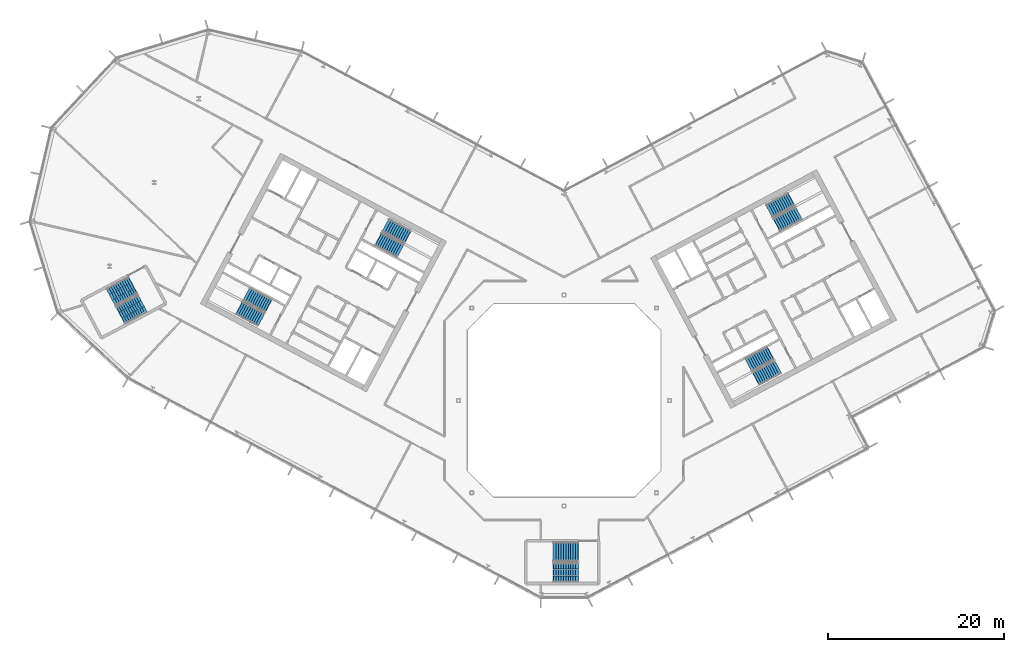
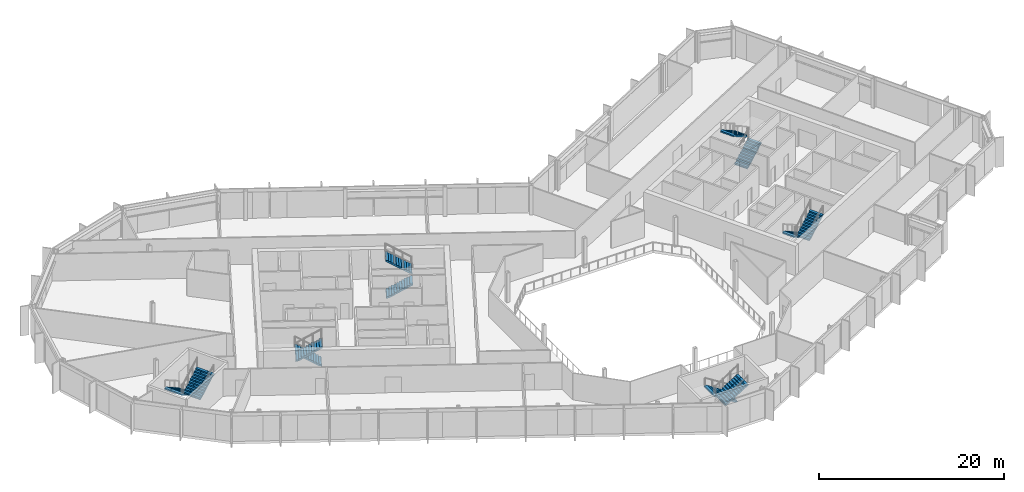
# One storey, part 18 of 27: 12 stair flights, 6 elements without a shape of their own.
"""IFC4 building model written with IfcOpenShell, lengths in metres."""

from ifc_helpers import new_model, si_unit, direction, frame, origin, place, context, subcontext, project, spatial, polyline, outline, extrude, material, type_object, element, aggregate, save


model = new_model("IFC4")

# Units and contexts
model_context = context("Model", 3, precision=1e-05, world=origin(), true_north=direction((0.0, 1.0)))
body_context = subcontext(model_context, "Body", "Model", "MODEL_VIEW")
ifc_project = project(units=[si_unit("LENGTHUNIT", "METRE"), si_unit("AREAUNIT", "SQUARE_METRE"), si_unit("VOLUMEUNIT", "CUBIC_METRE"), si_unit("PLANEANGLEUNIT", "RADIAN"), si_unit("MASSUNIT", "GRAM", prefix="KILO")], contexts=[model_context])

# Site, building, storey
site_placement = place(None, origin())
site = spatial("IfcSite", under=ifc_project, at=site_placement, CompositionType="ELEMENT")
building_placement = place(site_placement, origin())
building = spatial("IfcBuilding", under=site, at=building_placement, Name="Cormorant Relay Tower", CompositionType="ELEMENT")
storey_placement = place(building_placement, frame((0.0, 0.0, 240.300048828125)))
storey = spatial("IfcBuildingStorey", under=building, at=storey_placement, Name="L53", CompositionType="ELEMENT", Elevation=240.300048828125)

# Stair, stair flights
ifc_material_1 = material(Name="Concrete 40 MPa", Category="concrete")
stair_type_1 = type_object("IfcStairType", Name="Exit stair 1500", PredefinedType="HALF_TURN_STAIR", material=ifc_material_1)
stair_1_placement = place(storey_placement, origin())
stair_1 = element("IfcStair", 1, at=stair_1_placement, inside=storey, type_object=stair_type_1, Name="L53 Stair", PredefinedType="HALF_TURN_STAIR")
ifc_material_2 = material(Name="Concrete 40 MPa", Category="concrete")
stair_flight_type_1 = type_object("IfcStairFlightType", Name="Exit stair flight 1650", PredefinedType="STRAIGHT", material=ifc_material_2)
stair_flight_1_placement = place(storey_placement, frame((-21.114501953125, 18.33349609375, 0.0), z_axis=(0.0, 0.0, 1.0), x_axis=(0.882947592859, -0.469471562786, 0.0)))
stair_flight_1 = element("IfcStairFlight", 2, at=stair_flight_1_placement, type_object=stair_flight_type_1, Name="A1 flight 1", NumberOfRisers=11, NumberOfTreads=10, PredefinedType="STRAIGHT", RiserHeight=0.177272727, TreadLength=0.28, context=body_context, shape_type="SweptSolid", body=[
    extrude(outline(polyline([(-0.050048828125, -0.080078125), (-0.050048828125, 0.0), (0.0, 0.0), (0.0, 0.17724609375), (0.280029296875, 0.17724609375), (0.280029296875, 0.3544921875), (0.56005859375, 0.3544921875), (0.56005859375, 0.53173828125), (0.840087890625, 0.53173828125), (0.840087890625, 0.708984375), (1.1201171875, 0.708984375), (1.1201171875, 0.886474609375), (1.39990234375, 0.886474609375), (1.39990234375, 1.063720703125), (1.679931640625, 1.063720703125), (1.679931640625, 1.240966796875), (1.9599609375, 1.240966796875), (1.9599609375, 1.418212890625), (2.239990234375, 1.418212890625), (2.239990234375, 1.595458984375), (2.52001953125, 1.595458984375), (2.52001953125, 1.772705078125), (2.800048828125, 1.772705078125), (2.85009765625, 1.772705078125), (2.85009765625, 1.59521484375), (2.800048828125, 1.59521484375), (0.2802734375, 0.0), (-0.050048828125, -0.080078125)])), frame((0.0, 0.824951171875, 0.0), z_axis=(0.0, -1.0, 0.0), x_axis=(1.0, 0.0, 0.0)), (0.0, 0.0, 1.0), 1.64990234375),
])
stair_flight_2_placement = place(storey_placement, frame((-17.797119140625, 18.6083984375, 1.949951171875), z_axis=(0.0, 0.0, 1.0), x_axis=(-0.882947592859, 0.469471562786, 0.0)))
stair_flight_2 = element("IfcStairFlight", 3, at=stair_flight_2_placement, type_object=stair_flight_type_1, Name="A1 flight 2", NumberOfRisers=11, NumberOfTreads=10, PredefinedType="STRAIGHT", RiserHeight=0.177272727, TreadLength=0.28, context=body_context, shape_type="SweptSolid", body=[
    extrude(outline(polyline([(-0.050048828125, -0.080078125), (-0.050048828125, 0.0), (0.0, 0.0), (0.0, 0.17724609375), (0.280029296875, 0.17724609375), (0.280029296875, 0.3544921875), (0.56005859375, 0.3544921875), (0.56005859375, 0.53173828125), (0.840087890625, 0.53173828125), (0.840087890625, 0.708984375), (1.1201171875, 0.708984375), (1.1201171875, 0.886474609375), (1.39990234375, 0.886474609375), (1.39990234375, 1.063720703125), (1.679931640625, 1.063720703125), (1.679931640625, 1.240966796875), (1.9599609375, 1.240966796875), (1.9599609375, 1.418212890625), (2.239990234375, 1.418212890625), (2.239990234375, 1.595458984375), (2.52001953125, 1.595458984375), (2.52001953125, 1.772705078125), (2.800048828125, 1.772705078125), (2.85009765625, 1.772705078125), (2.85009765625, 1.59521484375), (2.800048828125, 1.59521484375), (0.2802734375, 0.0), (-0.050048828125, -0.080078125)])), frame((0.0, 0.824951171875, 0.0), z_axis=(0.0, -1.0, 0.0), x_axis=(1.0, 0.0, 0.0)), (0.0, 0.0, 1.0), 1.64990234375),
])
aggregate(stair_1, [stair_flight_1, stair_flight_2])

stair_2_placement = place(storey_placement, origin())
stair_2 = element("IfcStair", 4, at=stair_2_placement, inside=storey, type_object=stair_type_1, Name="L53 Stair", PredefinedType="HALF_TURN_STAIR")
stair_flight_3_placement = place(storey_placement, frame((-33.62841796875, 10.773681640625, 0.0), z_axis=(0.0, 0.0, 1.0), x_axis=(-0.882947592859, 0.469471562786, 0.0)))
stair_flight_3 = element("IfcStairFlight", 5, at=stair_flight_3_placement, type_object=stair_flight_type_1, Name="A2 flight 1", NumberOfRisers=11, NumberOfTreads=10, PredefinedType="STRAIGHT", RiserHeight=0.177272727, TreadLength=0.28, context=body_context, shape_type="SweptSolid", body=[
    extrude(outline(polyline([(-0.050048828125, -0.080078125), (-0.050048828125, 0.0), (0.0, 0.0), (0.0, 0.17724609375), (0.280029296875, 0.17724609375), (0.280029296875, 0.3544921875), (0.56005859375, 0.3544921875), (0.56005859375, 0.53173828125), (0.840087890625, 0.53173828125), (0.840087890625, 0.708984375), (1.1201171875, 0.708984375), (1.1201171875, 0.886474609375), (1.39990234375, 0.886474609375), (1.39990234375, 1.063720703125), (1.679931640625, 1.063720703125), (1.679931640625, 1.240966796875), (1.9599609375, 1.240966796875), (1.9599609375, 1.418212890625), (2.239990234375, 1.418212890625), (2.239990234375, 1.595458984375), (2.52001953125, 1.595458984375), (2.52001953125, 1.772705078125), (2.800048828125, 1.772705078125), (2.85009765625, 1.772705078125), (2.85009765625, 1.59521484375), (2.800048828125, 1.59521484375), (0.2802734375, 0.0), (-0.050048828125, -0.080078125)])), frame((0.0, 0.824951171875, 0.0), z_axis=(0.0, -1.0, 0.0), x_axis=(1.0, 0.0, 0.0)), (0.0, 0.0, 1.0), 1.64990234375),
])
stair_flight_4_placement = place(storey_placement, frame((-36.945556640625, 10.498779296875, 1.949951171875), z_axis=(0.0, 0.0, 1.0), x_axis=(0.882947592859, -0.469471562786, 0.0)))
stair_flight_4 = element("IfcStairFlight", 6, at=stair_flight_4_placement, type_object=stair_flight_type_1, Name="A2 flight 2", NumberOfRisers=11, NumberOfTreads=10, PredefinedType="STRAIGHT", RiserHeight=0.177272727, TreadLength=0.28, context=body_context, shape_type="SweptSolid", body=[
    extrude(outline(polyline([(-0.050048828125, -0.080078125), (-0.050048828125, 0.0), (0.0, 0.0), (0.0, 0.17724609375), (0.280029296875, 0.17724609375), (0.280029296875, 0.3544921875), (0.56005859375, 0.3544921875), (0.56005859375, 0.53173828125), (0.840087890625, 0.53173828125), (0.840087890625, 0.708984375), (1.1201171875, 0.708984375), (1.1201171875, 0.886474609375), (1.39990234375, 0.886474609375), (1.39990234375, 1.063720703125), (1.679931640625, 1.063720703125), (1.679931640625, 1.240966796875), (1.9599609375, 1.240966796875), (1.9599609375, 1.418212890625), (2.239990234375, 1.418212890625), (2.239990234375, 1.595458984375), (2.52001953125, 1.595458984375), (2.52001953125, 1.772705078125), (2.800048828125, 1.772705078125), (2.85009765625, 1.772705078125), (2.85009765625, 1.59521484375), (2.800048828125, 1.59521484375), (0.2802734375, 0.0), (-0.050048828125, -0.080078125)])), frame((0.0, 0.824951171875, 0.0), z_axis=(0.0, -1.0, 0.0), x_axis=(1.0, 0.0, 0.0)), (0.0, 0.0, 1.0), 1.64990234375),
])
aggregate(stair_2, [stair_flight_3, stair_flight_4])

stair_3_placement = place(storey_placement, origin())
stair_3 = element("IfcStair", 7, at=stair_3_placement, inside=storey, type_object=stair_type_1, Name="L53 Stair", PredefinedType="HALF_TURN_STAIR")
stair_flight_5_placement = place(storey_placement, frame((23.474365234375, 5.374755859375, 0.0), z_axis=(0.0, 0.0, 1.0), x_axis=(-0.882947592859, -0.469471562786, 0.0)))
stair_flight_5 = element("IfcStairFlight", 8, at=stair_flight_5_placement, type_object=stair_flight_type_1, Name="B1 flight 1", NumberOfRisers=11, NumberOfTreads=10, PredefinedType="STRAIGHT", RiserHeight=0.177272727, TreadLength=0.28, context=body_context, shape_type="SweptSolid", body=[
    extrude(outline(polyline([(-0.050048828125, -0.080078125), (-0.050048828125, 0.0), (0.0, 0.0), (0.0, 0.17724609375), (0.280029296875, 0.17724609375), (0.280029296875, 0.3544921875), (0.56005859375, 0.3544921875), (0.56005859375, 0.53173828125), (0.840087890625, 0.53173828125), (0.840087890625, 0.708984375), (1.1201171875, 0.708984375), (1.1201171875, 0.886474609375), (1.39990234375, 0.886474609375), (1.39990234375, 1.063720703125), (1.679931640625, 1.063720703125), (1.679931640625, 1.240966796875), (1.9599609375, 1.240966796875), (1.9599609375, 1.418212890625), (2.239990234375, 1.418212890625), (2.239990234375, 1.595458984375), (2.52001953125, 1.595458984375), (2.52001953125, 1.772705078125), (2.800048828125, 1.772705078125), (2.85009765625, 1.772705078125), (2.85009765625, 1.59521484375), (2.800048828125, 1.59521484375), (0.2802734375, 0.0), (-0.050048828125, -0.080078125)])), frame((0.0, 0.824951171875, 0.0), z_axis=(0.0, -1.0, 0.0), x_axis=(1.0, 0.0, 0.0)), (0.0, 0.0, 1.0), 1.64990234375),
])
stair_flight_6_placement = place(storey_placement, frame((21.84716796875, 2.470947265625, 1.949951171875), z_axis=(0.0, 0.0, 1.0), x_axis=(0.882947592859, 0.469471562786, 0.0)))
stair_flight_6 = element("IfcStairFlight", 9, at=stair_flight_6_placement, type_object=stair_flight_type_1, Name="B1 flight 2", NumberOfRisers=11, NumberOfTreads=10, PredefinedType="STRAIGHT", RiserHeight=0.177272727, TreadLength=0.28, context=body_context, shape_type="SweptSolid", body=[
    extrude(outline(polyline([(-0.050048828125, -0.080078125), (-0.050048828125, 0.0), (0.0, 0.0), (0.0, 0.17724609375), (0.280029296875, 0.17724609375), (0.280029296875, 0.3544921875), (0.56005859375, 0.3544921875), (0.56005859375, 0.53173828125), (0.840087890625, 0.53173828125), (0.840087890625, 0.708984375), (1.1201171875, 0.708984375), (1.1201171875, 0.886474609375), (1.39990234375, 0.886474609375), (1.39990234375, 1.063720703125), (1.679931640625, 1.063720703125), (1.679931640625, 1.240966796875), (1.9599609375, 1.240966796875), (1.9599609375, 1.418212890625), (2.239990234375, 1.418212890625), (2.239990234375, 1.595458984375), (2.52001953125, 1.595458984375), (2.52001953125, 1.772705078125), (2.800048828125, 1.772705078125), (2.85009765625, 1.772705078125), (2.85009765625, 1.59521484375), (2.800048828125, 1.59521484375), (0.2802734375, 0.0), (-0.050048828125, -0.080078125)])), frame((0.0, 0.824951171875, 0.0), z_axis=(0.0, -1.0, 0.0), x_axis=(1.0, 0.0, 0.0)), (0.0, 0.0, 1.0), 1.64990234375),
])
aggregate(stair_3, [stair_flight_5, stair_flight_6])

stair_4_placement = place(storey_placement, origin())
stair_4 = element("IfcStair", 10, at=stair_4_placement, inside=storey, type_object=stair_type_1, Name="L53 Stair", PredefinedType="HALF_TURN_STAIR")
stair_flight_7_placement = place(storey_placement, frame((24.20458984375, 19.976806640625, 0.0), z_axis=(0.0, 0.0, 1.0), x_axis=(0.882947592859, 0.469471562786, 0.0)))
stair_flight_7 = element("IfcStairFlight", 11, at=stair_flight_7_placement, type_object=stair_flight_type_1, Name="B2 flight 1", NumberOfRisers=11, NumberOfTreads=10, PredefinedType="STRAIGHT", RiserHeight=0.177272727, TreadLength=0.28, context=body_context, shape_type="SweptSolid", body=[
    extrude(outline(polyline([(-0.050048828125, -0.080078125), (-0.050048828125, 0.0), (0.0, 0.0), (0.0, 0.17724609375), (0.280029296875, 0.17724609375), (0.280029296875, 0.3544921875), (0.56005859375, 0.3544921875), (0.56005859375, 0.53173828125), (0.840087890625, 0.53173828125), (0.840087890625, 0.708984375), (1.1201171875, 0.708984375), (1.1201171875, 0.886474609375), (1.39990234375, 0.886474609375), (1.39990234375, 1.063720703125), (1.679931640625, 1.063720703125), (1.679931640625, 1.240966796875), (1.9599609375, 1.240966796875), (1.9599609375, 1.418212890625), (2.239990234375, 1.418212890625), (2.239990234375, 1.595458984375), (2.52001953125, 1.595458984375), (2.52001953125, 1.772705078125), (2.800048828125, 1.772705078125), (2.85009765625, 1.772705078125), (2.85009765625, 1.59521484375), (2.800048828125, 1.59521484375), (0.2802734375, 0.0), (-0.050048828125, -0.080078125)])), frame((0.0, 0.824951171875, 0.0), z_axis=(0.0, -1.0, 0.0), x_axis=(1.0, 0.0, 0.0)), (0.0, 0.0, 1.0), 1.64990234375),
])
stair_flight_8_placement = place(storey_placement, frame((25.831787109375, 22.880615234375, 1.949951171875), z_axis=(0.0, 0.0, 1.0), x_axis=(-0.882947592859, -0.469471562786, 0.0)))
stair_flight_8 = element("IfcStairFlight", 12, at=stair_flight_8_placement, type_object=stair_flight_type_1, Name="B2 flight 2", NumberOfRisers=11, NumberOfTreads=10, PredefinedType="STRAIGHT", RiserHeight=0.177272727, TreadLength=0.28, context=body_context, shape_type="SweptSolid", body=[
    extrude(outline(polyline([(-0.050048828125, -0.080078125), (-0.050048828125, 0.0), (0.0, 0.0), (0.0, 0.17724609375), (0.280029296875, 0.17724609375), (0.280029296875, 0.3544921875), (0.56005859375, 0.3544921875), (0.56005859375, 0.53173828125), (0.840087890625, 0.53173828125), (0.840087890625, 0.708984375), (1.1201171875, 0.708984375), (1.1201171875, 0.886474609375), (1.39990234375, 0.886474609375), (1.39990234375, 1.063720703125), (1.679931640625, 1.063720703125), (1.679931640625, 1.240966796875), (1.9599609375, 1.240966796875), (1.9599609375, 1.418212890625), (2.239990234375, 1.418212890625), (2.239990234375, 1.595458984375), (2.52001953125, 1.595458984375), (2.52001953125, 1.772705078125), (2.800048828125, 1.772705078125), (2.85009765625, 1.772705078125), (2.85009765625, 1.59521484375), (2.800048828125, 1.59521484375), (0.2802734375, 0.0), (-0.050048828125, -0.080078125)])), frame((0.0, 0.824951171875, 0.0), z_axis=(0.0, -1.0, 0.0), x_axis=(1.0, 0.0, 0.0)), (0.0, 0.0, 1.0), 1.64990234375),
])
aggregate(stair_4, [stair_flight_7, stair_flight_8])

ifc_material_3 = material(Name="Concrete 40 MPa", Category="concrete")
stair_type_2 = type_object("IfcStairType", Name="Remote exit stair 2200", PredefinedType="HALF_TURN_STAIR", material=ifc_material_3)
stair_5_placement = place(storey_placement, origin())
stair_5 = element("IfcStair", 13, at=stair_5_placement, inside=storey, type_object=stair_type_2, Name="L53 Stair", PredefinedType="HALF_TURN_STAIR")
ifc_material_4 = material(Name="Concrete 40 MPa", Category="concrete")
stair_flight_type_2 = type_object("IfcStairFlightType", Name="Remote exit stair flight 2200", PredefinedType="STRAIGHT", material=ifc_material_4)
stair_flight_9_placement = place(storey_placement, frame((1.60009765625, -17.22509765625, 0.0), z_axis=(0.0, 0.0, 1.0), x_axis=(-1.0, 0.0, 0.0)))
stair_flight_9 = element("IfcStairFlight", 14, at=stair_flight_9_placement, type_object=stair_flight_type_2, Name="RK1 flight 1", NumberOfRisers=11, NumberOfTreads=10, PredefinedType="STRAIGHT", RiserHeight=0.177272727, TreadLength=0.28, context=body_context, shape_type="SweptSolid", body=[
    extrude(outline(polyline([(-0.050048828125, -0.080078125), (-0.050048828125, 0.0), (0.0, 0.0), (0.0, 0.17724609375), (0.280029296875, 0.17724609375), (0.280029296875, 0.3544921875), (0.56005859375, 0.3544921875), (0.56005859375, 0.53173828125), (0.840087890625, 0.53173828125), (0.840087890625, 0.708984375), (1.1201171875, 0.708984375), (1.1201171875, 0.886474609375), (1.39990234375, 0.886474609375), (1.39990234375, 1.063720703125), (1.679931640625, 1.063720703125), (1.679931640625, 1.240966796875), (1.9599609375, 1.240966796875), (1.9599609375, 1.418212890625), (2.239990234375, 1.418212890625), (2.239990234375, 1.595458984375), (2.52001953125, 1.595458984375), (2.52001953125, 1.772705078125), (2.800048828125, 1.772705078125), (2.85009765625, 1.772705078125), (2.85009765625, 1.59521484375), (2.800048828125, 1.59521484375), (0.2802734375, 0.0), (-0.050048828125, -0.080078125)])), frame((0.0, 1.10009765625, 0.0), z_axis=(0.0, -1.0, 0.0), x_axis=(1.0, 0.0, 0.0)), (0.0, 0.0, 1.0), 0.719970703125),
    extrude(outline(polyline([(-0.050048828125, -0.080078125), (-0.050048828125, 0.0), (0.0, 0.0), (0.0, 0.17724609375), (0.280029296875, 0.17724609375), (0.280029296875, 0.3544921875), (0.56005859375, 0.3544921875), (0.56005859375, 0.53173828125), (0.840087890625, 0.53173828125), (0.840087890625, 0.708984375), (1.1201171875, 0.708984375), (1.1201171875, 0.886474609375), (1.39990234375, 0.886474609375), (1.39990234375, 1.063720703125), (1.679931640625, 1.063720703125), (1.679931640625, 1.240966796875), (1.9599609375, 1.240966796875), (1.9599609375, 1.418212890625), (2.239990234375, 1.418212890625), (2.239990234375, 1.595458984375), (2.52001953125, 1.595458984375), (2.52001953125, 1.772705078125), (2.800048828125, 1.772705078125), (2.85009765625, 1.772705078125), (2.85009765625, 1.59521484375), (2.800048828125, 1.59521484375), (0.2802734375, 0.0), (-0.050048828125, -0.080078125)])), frame((0.0, 0.360107421875, 0.0), z_axis=(0.0, -1.0, 0.0), x_axis=(1.0, 0.0, 0.0)), (0.0, 0.0, 1.0), 0.719970703125),
    extrude(outline(polyline([(-0.050048828125, -0.080078125), (-0.050048828125, 0.0), (0.0, 0.0), (0.0, 0.17724609375), (0.280029296875, 0.17724609375), (0.280029296875, 0.3544921875), (0.56005859375, 0.3544921875), (0.56005859375, 0.53173828125), (0.840087890625, 0.53173828125), (0.840087890625, 0.708984375), (1.1201171875, 0.708984375), (1.1201171875, 0.886474609375), (1.39990234375, 0.886474609375), (1.39990234375, 1.063720703125), (1.679931640625, 1.063720703125), (1.679931640625, 1.240966796875), (1.9599609375, 1.240966796875), (1.9599609375, 1.418212890625), (2.239990234375, 1.418212890625), (2.239990234375, 1.595458984375), (2.52001953125, 1.595458984375), (2.52001953125, 1.772705078125), (2.800048828125, 1.772705078125), (2.85009765625, 1.772705078125), (2.85009765625, 1.59521484375), (2.800048828125, 1.59521484375), (0.2802734375, 0.0), (-0.050048828125, -0.080078125)])), frame((0.0, -0.3798828125, 0.0), z_axis=(0.0, -1.0, 0.0), x_axis=(1.0, 0.0, 0.0)), (0.0, 0.0, 1.0), 0.719970703125),
])
stair_flight_10_placement = place(storey_placement, frame((-1.199951171875, -19.574951171875, 1.949951171875), z_axis=(0.0, 0.0, 1.0), x_axis=(1.0, 0.0, 0.0)))
stair_flight_10 = element("IfcStairFlight", 15, at=stair_flight_10_placement, type_object=stair_flight_type_2, Name="RK1 flight 2", NumberOfRisers=11, NumberOfTreads=10, PredefinedType="STRAIGHT", RiserHeight=0.177272727, TreadLength=0.28, context=body_context, shape_type="SweptSolid", body=[
    extrude(outline(polyline([(-0.050048828125, -0.080078125), (-0.050048828125, 0.0), (0.0, 0.0), (0.0, 0.17724609375), (0.280029296875, 0.17724609375), (0.280029296875, 0.3544921875), (0.56005859375, 0.3544921875), (0.56005859375, 0.53173828125), (0.840087890625, 0.53173828125), (0.840087890625, 0.708984375), (1.1201171875, 0.708984375), (1.1201171875, 0.886474609375), (1.39990234375, 0.886474609375), (1.39990234375, 1.063720703125), (1.679931640625, 1.063720703125), (1.679931640625, 1.240966796875), (1.9599609375, 1.240966796875), (1.9599609375, 1.418212890625), (2.239990234375, 1.418212890625), (2.239990234375, 1.595458984375), (2.52001953125, 1.595458984375), (2.52001953125, 1.772705078125), (2.800048828125, 1.772705078125), (2.85009765625, 1.772705078125), (2.85009765625, 1.59521484375), (2.800048828125, 1.59521484375), (0.2802734375, 0.0), (-0.050048828125, -0.080078125)])), frame((0.0, 1.10009765625, 0.0), z_axis=(0.0, -1.0, 0.0), x_axis=(1.0, 0.0, 0.0)), (0.0, 0.0, 1.0), 0.719970703125),
    extrude(outline(polyline([(-0.050048828125, -0.080078125), (-0.050048828125, 0.0), (0.0, 0.0), (0.0, 0.17724609375), (0.280029296875, 0.17724609375), (0.280029296875, 0.3544921875), (0.56005859375, 0.3544921875), (0.56005859375, 0.53173828125), (0.840087890625, 0.53173828125), (0.840087890625, 0.708984375), (1.1201171875, 0.708984375), (1.1201171875, 0.886474609375), (1.39990234375, 0.886474609375), (1.39990234375, 1.063720703125), (1.679931640625, 1.063720703125), (1.679931640625, 1.240966796875), (1.9599609375, 1.240966796875), (1.9599609375, 1.418212890625), (2.239990234375, 1.418212890625), (2.239990234375, 1.595458984375), (2.52001953125, 1.595458984375), (2.52001953125, 1.772705078125), (2.800048828125, 1.772705078125), (2.85009765625, 1.772705078125), (2.85009765625, 1.59521484375), (2.800048828125, 1.59521484375), (0.2802734375, 0.0), (-0.050048828125, -0.080078125)])), frame((0.0, 0.360107421875, 0.0), z_axis=(0.0, -1.0, 0.0), x_axis=(1.0, 0.0, 0.0)), (0.0, 0.0, 1.0), 0.719970703125),
    extrude(outline(polyline([(-0.050048828125, -0.080078125), (-0.050048828125, 0.0), (0.0, 0.0), (0.0, 0.17724609375), (0.280029296875, 0.17724609375), (0.280029296875, 0.3544921875), (0.56005859375, 0.3544921875), (0.56005859375, 0.53173828125), (0.840087890625, 0.53173828125), (0.840087890625, 0.708984375), (1.1201171875, 0.708984375), (1.1201171875, 0.886474609375), (1.39990234375, 0.886474609375), (1.39990234375, 1.063720703125), (1.679931640625, 1.063720703125), (1.679931640625, 1.240966796875), (1.9599609375, 1.240966796875), (1.9599609375, 1.418212890625), (2.239990234375, 1.418212890625), (2.239990234375, 1.595458984375), (2.52001953125, 1.595458984375), (2.52001953125, 1.772705078125), (2.800048828125, 1.772705078125), (2.85009765625, 1.772705078125), (2.85009765625, 1.59521484375), (2.800048828125, 1.59521484375), (0.2802734375, 0.0), (-0.050048828125, -0.080078125)])), frame((0.0, -0.3798828125, 0.0), z_axis=(0.0, -1.0, 0.0), x_axis=(1.0, 0.0, 0.0)), (0.0, 0.0, 1.0), 0.719970703125),
])
aggregate(stair_5, [stair_flight_9, stair_flight_10])

stair_6_placement = place(storey_placement, origin())
stair_6 = element("IfcStair", 16, at=stair_6_placement, inside=storey, type_object=stair_type_2, Name="L53 Stair", PredefinedType="HALF_TURN_STAIR")
stair_flight_11_placement = place(storey_placement, frame((-49.062255859375, 13.08251953125, 0.0), z_axis=(0.0, 0.0, 1.0), x_axis=(-0.882947502727, -0.4694717323, 0.0)))
stair_flight_11 = element("IfcStairFlight", 17, at=stair_flight_11_placement, type_object=stair_flight_type_2, Name="RP1 flight 1", NumberOfRisers=11, NumberOfTreads=10, PredefinedType="STRAIGHT", RiserHeight=0.177272727, TreadLength=0.28, context=body_context, shape_type="SweptSolid", body=[
    extrude(outline(polyline([(-0.050048828125, -0.080078125), (-0.050048828125, 0.0), (0.0, 0.0), (0.0, 0.17724609375), (0.280029296875, 0.17724609375), (0.280029296875, 0.3544921875), (0.56005859375, 0.3544921875), (0.56005859375, 0.53173828125), (0.840087890625, 0.53173828125), (0.840087890625, 0.708984375), (1.1201171875, 0.708984375), (1.1201171875, 0.886474609375), (1.39990234375, 0.886474609375), (1.39990234375, 1.063720703125), (1.679931640625, 1.063720703125), (1.679931640625, 1.240966796875), (1.9599609375, 1.240966796875), (1.9599609375, 1.418212890625), (2.239990234375, 1.418212890625), (2.239990234375, 1.595458984375), (2.52001953125, 1.595458984375), (2.52001953125, 1.772705078125), (2.800048828125, 1.772705078125), (2.85009765625, 1.772705078125), (2.85009765625, 1.59521484375), (2.800048828125, 1.59521484375), (0.2802734375, 0.0), (-0.050048828125, -0.080078125)])), frame((0.0, 1.10009765625, 0.0), z_axis=(0.0, -1.0, 0.0), x_axis=(1.0, 0.0, 0.0)), (0.0, 0.0, 1.0), 0.719970703125),
    extrude(outline(polyline([(-0.050048828125, -0.080078125), (-0.050048828125, 0.0), (0.0, 0.0), (0.0, 0.17724609375), (0.280029296875, 0.17724609375), (0.280029296875, 0.3544921875), (0.56005859375, 0.3544921875), (0.56005859375, 0.53173828125), (0.840087890625, 0.53173828125), (0.840087890625, 0.708984375), (1.1201171875, 0.708984375), (1.1201171875, 0.886474609375), (1.39990234375, 0.886474609375), (1.39990234375, 1.063720703125), (1.679931640625, 1.063720703125), (1.679931640625, 1.240966796875), (1.9599609375, 1.240966796875), (1.9599609375, 1.418212890625), (2.239990234375, 1.418212890625), (2.239990234375, 1.595458984375), (2.52001953125, 1.595458984375), (2.52001953125, 1.772705078125), (2.800048828125, 1.772705078125), (2.85009765625, 1.772705078125), (2.85009765625, 1.59521484375), (2.800048828125, 1.59521484375), (0.2802734375, 0.0), (-0.050048828125, -0.080078125)])), frame((0.0, 0.360107421875, 0.0), z_axis=(0.0, -1.0, 0.0), x_axis=(1.0, 0.0, 0.0)), (0.0, 0.0, 1.0), 0.719970703125),
    extrude(outline(polyline([(-0.050048828125, -0.080078125), (-0.050048828125, 0.0), (0.0, 0.0), (0.0, 0.17724609375), (0.280029296875, 0.17724609375), (0.280029296875, 0.3544921875), (0.56005859375, 0.3544921875), (0.56005859375, 0.53173828125), (0.840087890625, 0.53173828125), (0.840087890625, 0.708984375), (1.1201171875, 0.708984375), (1.1201171875, 0.886474609375), (1.39990234375, 0.886474609375), (1.39990234375, 1.063720703125), (1.679931640625, 1.063720703125), (1.679931640625, 1.240966796875), (1.9599609375, 1.240966796875), (1.9599609375, 1.418212890625), (2.239990234375, 1.418212890625), (2.239990234375, 1.595458984375), (2.52001953125, 1.595458984375), (2.52001953125, 1.772705078125), (2.800048828125, 1.772705078125), (2.85009765625, 1.772705078125), (2.85009765625, 1.59521484375), (2.800048828125, 1.59521484375), (0.2802734375, 0.0), (-0.050048828125, -0.080078125)])), frame((0.0, -0.3798828125, 0.0), z_axis=(0.0, -1.0, 0.0), x_axis=(1.0, 0.0, 0.0)), (0.0, 0.0, 1.0), 0.719970703125),
])
stair_flight_12_placement = place(storey_placement, frame((-50.431396484375, 9.693115234375, 1.949951171875), z_axis=(0.0, 0.0, 1.0), x_axis=(0.882947502727, 0.4694717323, 0.0)))
stair_flight_12 = element("IfcStairFlight", 18, at=stair_flight_12_placement, type_object=stair_flight_type_2, Name="RP1 flight 2", NumberOfRisers=11, NumberOfTreads=10, PredefinedType="STRAIGHT", RiserHeight=0.177272727, TreadLength=0.28, context=body_context, shape_type="SweptSolid", body=[
    extrude(outline(polyline([(-0.050048828125, -0.080078125), (-0.050048828125, 0.0), (0.0, 0.0), (0.0, 0.17724609375), (0.280029296875, 0.17724609375), (0.280029296875, 0.3544921875), (0.56005859375, 0.3544921875), (0.56005859375, 0.53173828125), (0.840087890625, 0.53173828125), (0.840087890625, 0.708984375), (1.1201171875, 0.708984375), (1.1201171875, 0.886474609375), (1.39990234375, 0.886474609375), (1.39990234375, 1.063720703125), (1.679931640625, 1.063720703125), (1.679931640625, 1.240966796875), (1.9599609375, 1.240966796875), (1.9599609375, 1.418212890625), (2.239990234375, 1.418212890625), (2.239990234375, 1.595458984375), (2.52001953125, 1.595458984375), (2.52001953125, 1.772705078125), (2.800048828125, 1.772705078125), (2.85009765625, 1.772705078125), (2.85009765625, 1.59521484375), (2.800048828125, 1.59521484375), (0.2802734375, 0.0), (-0.050048828125, -0.080078125)])), frame((0.0, 1.10009765625, 0.0), z_axis=(0.0, -1.0, 0.0), x_axis=(1.0, 0.0, 0.0)), (0.0, 0.0, 1.0), 0.719970703125),
    extrude(outline(polyline([(-0.050048828125, -0.080078125), (-0.050048828125, 0.0), (0.0, 0.0), (0.0, 0.17724609375), (0.280029296875, 0.17724609375), (0.280029296875, 0.3544921875), (0.56005859375, 0.3544921875), (0.56005859375, 0.53173828125), (0.840087890625, 0.53173828125), (0.840087890625, 0.708984375), (1.1201171875, 0.708984375), (1.1201171875, 0.886474609375), (1.39990234375, 0.886474609375), (1.39990234375, 1.063720703125), (1.679931640625, 1.063720703125), (1.679931640625, 1.240966796875), (1.9599609375, 1.240966796875), (1.9599609375, 1.418212890625), (2.239990234375, 1.418212890625), (2.239990234375, 1.595458984375), (2.52001953125, 1.595458984375), (2.52001953125, 1.772705078125), (2.800048828125, 1.772705078125), (2.85009765625, 1.772705078125), (2.85009765625, 1.59521484375), (2.800048828125, 1.59521484375), (0.2802734375, 0.0), (-0.050048828125, -0.080078125)])), frame((0.0, 0.360107421875, 0.0), z_axis=(0.0, -1.0, 0.0), x_axis=(1.0, 0.0, 0.0)), (0.0, 0.0, 1.0), 0.719970703125),
    extrude(outline(polyline([(-0.050048828125, -0.080078125), (-0.050048828125, 0.0), (0.0, 0.0), (0.0, 0.17724609375), (0.280029296875, 0.17724609375), (0.280029296875, 0.3544921875), (0.56005859375, 0.3544921875), (0.56005859375, 0.53173828125), (0.840087890625, 0.53173828125), (0.840087890625, 0.708984375), (1.1201171875, 0.708984375), (1.1201171875, 0.886474609375), (1.39990234375, 0.886474609375), (1.39990234375, 1.063720703125), (1.679931640625, 1.063720703125), (1.679931640625, 1.240966796875), (1.9599609375, 1.240966796875), (1.9599609375, 1.418212890625), (2.239990234375, 1.418212890625), (2.239990234375, 1.595458984375), (2.52001953125, 1.595458984375), (2.52001953125, 1.772705078125), (2.800048828125, 1.772705078125), (2.85009765625, 1.772705078125), (2.85009765625, 1.59521484375), (2.800048828125, 1.59521484375), (0.2802734375, 0.0), (-0.050048828125, -0.080078125)])), frame((0.0, -0.3798828125, 0.0), z_axis=(0.0, -1.0, 0.0), x_axis=(1.0, 0.0, 0.0)), (0.0, 0.0, 1.0), 0.719970703125),
])
aggregate(stair_6, [stair_flight_11, stair_flight_12])

save(model, "model.ifc")
